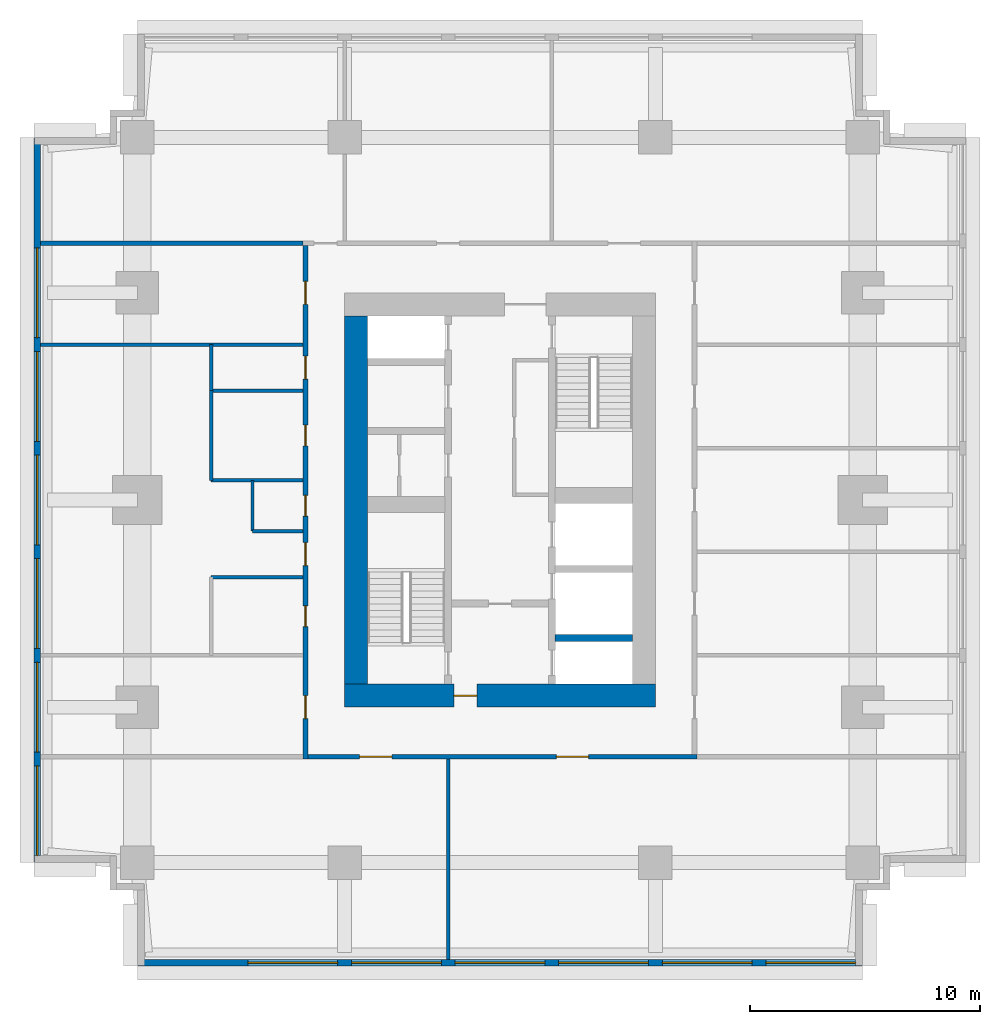
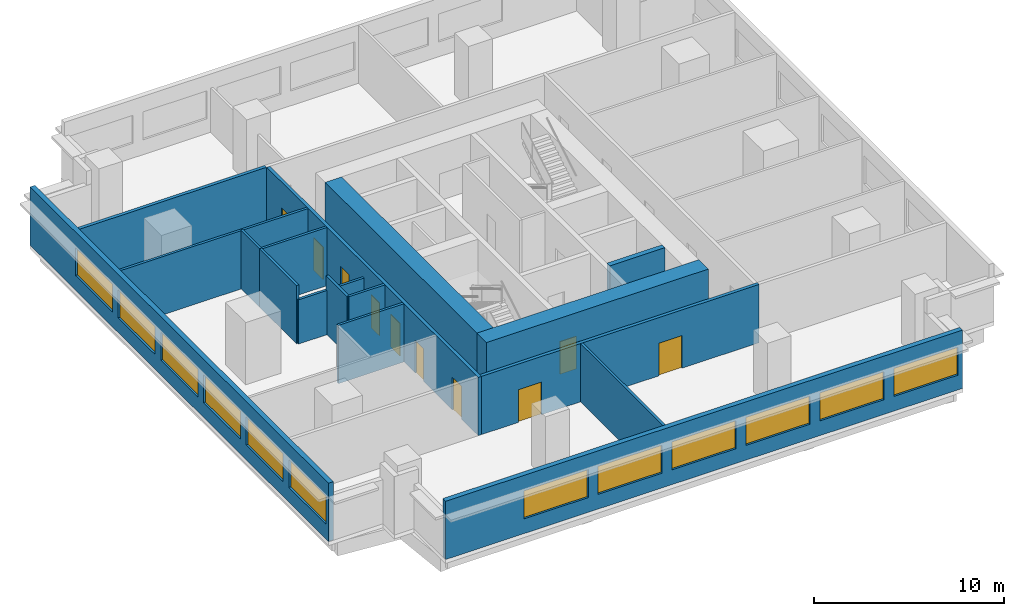
# One storey, part 2 of 5: 17 walls, 12 windows, 10 doors, 22 openings.
"""IFC4 building model written with IfcOpenShell, lengths in metres."""

import ifcopenshell
import ifcopenshell.guid

model = None  # the IFC model being written
_history = None  # IfcOwnerHistory: only IFC2X3 demands one
_inside = {}  # id of a spatial element -> (the spatial element, [elements in it])
_under = {}  # id of a project, library or spatial element -> (it, [spatial elements below it])
_declared = {}  # id of a project -> (the project, [libraries it declares])
_typed = {}  # id of a type object -> (the type object, [elements of that type])
_made_of = {}  # id of a material, layer set ... -> (it, [elements and type objects made of it])


def new_model(schema):
    """Start an empty IFC model of exactly this schema.

    Asked for "IFC4X3", IfcOpenShell would pick the latest addendum, in which some entities
    have other attributes; the version numbers below select the first issue.
    IFC2X3 requires an IfcOwnerHistory on every rooted entity: one is made here for all.
    """
    global model, _history
    if schema == "IFC4X3":
        model = ifcopenshell.file(schema_version=(4, 3, 0, 0))
    else:
        model = ifcopenshell.file(schema=schema)
    _inside.clear()
    _under.clear()
    _declared.clear()
    _typed.clear()
    _made_of.clear()
    _history = None
    if model.schema == "IFC2X3":
        org = make("IfcOrganization", Name="unknown")
        user = make(
            "IfcPersonAndOrganization",
            ThePerson=make("IfcPerson", FamilyName="unknown"),
            TheOrganization=org,
        )
        app = make(
            "IfcApplication",
            ApplicationDeveloper=org,
            Version="unknown",
            ApplicationFullName="unknown",
            ApplicationIdentifier="unknown",
        )
        _history = make(
            "IfcOwnerHistory",
            OwningUser=user,
            OwningApplication=app,
            ChangeAction="ADDED",
            CreationDate=0,
        )
    return model


def make(cls, **values):
    """One entity of the class cls with the attributes given. An attribute that is None is left unset."""
    return model.create_entity(
        cls, **{name: value for name, value in values.items() if value is not None}
    )


def rooted(cls, **values):
    """An entity with a GlobalId (a new one), such as an element, a storey or a relation."""
    return make(cls, GlobalId=ifcopenshell.guid.new(), OwnerHistory=_history, **values)


def si_unit(unit_type, name, prefix=None):
    """IfcSIUnit, for example si_unit("LENGTHUNIT", "METRE", prefix="MILLI")."""
    return make("IfcSIUnit", UnitType=unit_type, Prefix=prefix, Name=name)


def assignment(units):
    """IfcUnitAssignment: the units of a project."""
    return None if units is None else make("IfcUnitAssignment", Units=units)


def point(xyz):
    """IfcCartesianPoint."""
    return None if xyz is None else make("IfcCartesianPoint", Coordinates=xyz)


def direction(xyz):
    """IfcDirection."""
    return None if xyz is None else make("IfcDirection", DirectionRatios=xyz)


def frame(location, z_axis=None, x_axis=None):
    """IfcAxis2Placement3D, a coordinate frame: its origin and axes. An axis left out is left unset."""
    return make(
        "IfcAxis2Placement3D",
        Location=point(location),
        Axis=direction(z_axis),
        RefDirection=direction(x_axis),
    )


def frame_2d(location, x_axis=None):
    """IfcAxis2Placement2D, a coordinate frame in the plane: its origin and x axis."""
    return make(
        "IfcAxis2Placement2D", Location=point(location), RefDirection=direction(x_axis)
    )


def origin():
    """The frame at (0, 0, 0) with its axes left unset."""
    return frame((0.0, 0.0, 0.0))


def place(relative_to, where):
    """IfcLocalPlacement: puts the frame where relative to a parent placement (None: the world)."""
    return make(
        "IfcLocalPlacement", PlacementRelTo=relative_to, RelativePlacement=where
    )


def context(
    kind, dimensions, precision=None, world=None, true_north=None, identifier=None
):
    """IfcGeometricRepresentationContext, for example the 3D "Model" context."""
    return make(
        "IfcGeometricRepresentationContext",
        ContextIdentifier=identifier,
        ContextType=kind,
        CoordinateSpaceDimension=dimensions,
        Precision=precision,
        WorldCoordinateSystem=world,
        TrueNorth=true_north,
    )


def subcontext(parent, identifier, kind, view, scale=None):
    """IfcGeometricRepresentationSubContext, for example "Body" below "Model"."""
    return make(
        "IfcGeometricRepresentationSubContext",
        ContextIdentifier=identifier,
        ContextType=kind,
        ParentContext=parent,
        TargetScale=scale,
        TargetView=view,
    )


def project(units=None, contexts=None):
    """IfcProject with its units and contexts."""
    return rooted(
        "IfcProject",
        Name="project",
        RepresentationContexts=contexts,
        UnitsInContext=assignment(units),
    )


def spatial(cls, under=None, at=None, **own):
    """A site, building, storey or space (cls), placed at a placement, below another one or the project."""
    s = rooted(cls, ObjectPlacement=at, **own)
    if under is not None:
        _under.setdefault(under.id(), (under, []))[1].append(s)
    return s


def profile(cls, at=None, kind="AREA", **sizes):
    """A parametric profile (cls). Its sizes go by their IFC names, for example OverallWidth=200.0."""
    return make(cls, ProfileType=kind, Position=at, **sizes)


def rectangle(**sizes):
    """IfcRectangleProfileDef."""
    return profile("IfcRectangleProfileDef", **sizes)


def extrude(swept, where, along, depth):
    """IfcExtrudedAreaSolid: the profile swept, set in the frame where, extruded along a direction by depth."""
    return make(
        "IfcExtrudedAreaSolid",
        SweptArea=swept,
        Position=where,
        ExtrudedDirection=direction(along),
        Depth=depth,
    )


def shape(context_of_items, identifier, shape_type, items):
    """IfcShapeRepresentation: the items that make up one representation, for example the "Body"."""
    return make(
        "IfcShapeRepresentation",
        ContextOfItems=context_of_items,
        RepresentationIdentifier=identifier,
        RepresentationType=shape_type,
        Items=items,
    )


def material(Name=None, Category=None):
    """IfcMaterial."""
    return make("IfcMaterial", Name=Name, Category=Category)


def layer(
    of_material, thickness, ventilated=None, Name=None, Category=None, Priority=None
):
    """IfcMaterialLayer: one layer of a wall or slab, of a material (None: an air gap)."""
    return make(
        "IfcMaterialLayer",
        Material=of_material,
        LayerThickness=thickness,
        IsVentilated=ventilated,
        Name=Name,
        Category=Category,
        Priority=Priority,
    )


def layer_set(layers, Name=None):
    """IfcMaterialLayerSet."""
    return make("IfcMaterialLayerSet", MaterialLayers=layers, LayerSetName=Name)


def made_of(thing, what):
    """Note that an element or type object is made of a material, layer set ...; save() writes the relation."""
    if what is not None:
        _made_of.setdefault(what.id(), (what, []))[1].append(thing)
    return thing


def type_object(cls, material=None, **own):
    """A type object (cls), such as IfcWallType, which elements share."""
    return made_of(rooted(cls, **own), material)


def element(
    cls,
    number,
    at=None,
    inside=None,
    cuts=None,
    type_object=None,
    material=None,
    context=None,
    identifier="Body",
    shape_type=None,
    held_by="IfcProductDefinitionShape",
    body=None,
    shapes=None,
    **own,
):
    """One element of the class cls, such as IfcWall. Its Tag is "e" and its number.

    at: its placement. inside: the storey or other place that contains it. cuts: it is an
    opening in that element (IfcRelVoidsElement). A single representation is given by context,
    identifier, shape_type and body (its items); several are given by shapes. held_by: the class
    of the entity that holds the representations. save() writes the other relations.
    """
    e = rooted(cls, Tag="e%d" % number, ObjectPlacement=at, **own)
    if body is not None:
        shapes = [shape(context, identifier, shape_type, body)]
    if shapes is not None:
        e.Representation = make(held_by, Representations=shapes)
    if inside is not None:
        _inside.setdefault(inside.id(), (inside, []))[1].append(e)
    if cuts is not None:
        rooted(
            "IfcRelVoidsElement", RelatingBuildingElement=cuts, RelatedOpeningElement=e
        )
    if type_object is not None:
        _typed.setdefault(type_object.id(), (type_object, []))[1].append(e)
    return made_of(e, material)


def fill(opening, filler):
    """IfcRelFillsElement: the door or window that sits in an opening."""
    return rooted(
        "IfcRelFillsElement",
        RelatingOpeningElement=opening,
        RelatedBuildingElement=filler,
    )


def aggregate(whole, parts):
    """IfcRelAggregates: a whole, such as a stair, and the parts it consists of."""
    return rooted("IfcRelAggregates", RelatingObject=whole, RelatedObjects=parts)


def save(model, path):
    """Write the relations noted so far, then the file.

    IfcRelAggregates (storeys below a building ...), IfcRelContainedInSpatialStructure (elements
    in a storey), IfcRelDefinesByType, IfcRelAssociatesMaterial and IfcRelDeclares: one each for
    every whole, place, type object, material and project.
    """
    for whole, parts in _under.values():
        aggregate(whole, parts)
    for where, things in _inside.values():
        rooted(
            "IfcRelContainedInSpatialStructure",
            RelatedElements=things,
            RelatingStructure=where,
        )
    for kind, things in _typed.values():
        rooted("IfcRelDefinesByType", RelatedObjects=things, RelatingType=kind)
    for what, things in _made_of.values():
        rooted("IfcRelAssociatesMaterial", RelatedObjects=things, RelatingMaterial=what)
    for by, libraries in _declared.values():
        rooted("IfcRelDeclares", RelatingContext=by, RelatedDefinitions=libraries)
    model.write(path)


model = new_model("IFC4")

# Units and contexts
model_context = context("Model", 3, precision=1e-05, world=origin(), true_north=direction((0.0, 1.0)))
body_context = subcontext(model_context, "Body", "Model", "MODEL_VIEW")
ifc_project = project(units=[si_unit("LENGTHUNIT", "METRE"), si_unit("AREAUNIT", "SQUARE_METRE"), si_unit("VOLUMEUNIT", "CUBIC_METRE"), si_unit("PLANEANGLEUNIT", "RADIAN"), si_unit("MASSUNIT", "GRAM", prefix="KILO")], contexts=[model_context])

# Site, building, storey
site_placement = place(None, origin())
site = spatial("IfcSite", under=ifc_project, at=site_placement, CompositionType="ELEMENT")
building_placement = place(site_placement, origin())
building = spatial("IfcBuilding", under=site, at=building_placement, Name="Namib Vertical Campus", CompositionType="ELEMENT")
storey_placement = place(building_placement, frame((0.0, 0.0, 253.0)))
storey = spatial("IfcBuildingStorey", under=building, at=storey_placement, Name="L59", CompositionType="ELEMENT", Elevation=253.0)

# Wall
ifc_material_1 = material(Name="Concrete C60/75", Category="concrete")
ifc_layer_1 = layer(ifc_material_1, 0.300048828125)
ifc_layer_set_1 = layer_set([ifc_layer_1], Name="Concrete C60/75")
wall_type_1 = type_object("IfcWallType", Name="Core inner wall 300", PredefinedType="SHEAR", material=ifc_layer_set_1)
wall_1_placement = place(storey_placement, frame((22.64990234375, 14.25, 0.0), z_axis=(0.0, 0.0, 1.0), x_axis=(1.0, 0.0, 0.0)))
element("IfcWall", 1, at=wall_1_placement, inside=storey, type_object=wall_type_1, Name="Core inner wall A L59 W5", PredefinedType="SHEAR", context=body_context, shape_type="SweptSolid", body=[
    extrude(rectangle(XDim=3.35009765625, YDim=0.300048828125, at=frame_2d((1.675048828125, 0.0))), origin(), (0.0, 0.0, 1.0), 4.0),
])

# Wall, opening, door
ifc_material_2 = material(Name="Concrete C60/75", Category="concrete")
ifc_layer_2 = layer(ifc_material_2, 1.0)
ifc_layer_set_2 = layer_set([ifc_layer_2], Name="Concrete C60/75")
wall_type_2 = type_object("IfcWallType", Name="Core wall 1000", PredefinedType="SHEAR", material=ifc_layer_set_2)
wall_2_placement = place(storey_placement, frame((13.5, 11.75, 0.0), z_axis=(0.0, 0.0, 1.0), x_axis=(1.0, 0.0, 0.0)))
wall_2 = element("IfcWall", 2, at=wall_2_placement, inside=storey, type_object=wall_type_2, Name="Core wall A L59 1", PredefinedType="SHEAR", context=body_context, shape_type="SweptSolid", body=[
    extrude(rectangle(XDim=13.5, YDim=1.0, at=frame_2d((6.75, 0.0))), origin(), (0.0, 0.0, 1.0), 4.0),
])
opening_1_placement = place(wall_2_placement, frame((4.75, 0.0, 0.0)))
opening_1 = element("IfcOpeningElement", 3, at=opening_1_placement, cuts=wall_2, Name="Opening FD5", PredefinedType="OPENING", context=body_context, shape_type="SweptSolid", body=[
    extrude(rectangle(XDim=1.0, YDim=2.10009765625, at=frame_2d((0.5, 1.050048828125))), frame((0.0, 0.510009765625, 0.0), z_axis=(0.0, -1.0, 0.0), x_axis=(1.0, 0.0, 0.0)), (0.0, 0.0, 1.0), 1.02001953125),
])
ifc_material_3 = material(Name="Steel fire door", Category="steel")
door_type_1 = type_object("IfcDoorType", Name="Fire door 1000x2100 120 min", OperationType="SINGLE_SWING_RIGHT", PredefinedType="DOOR", material=ifc_material_3)
door_1_placement = place(opening_1_placement, origin())
door_1 = element("IfcDoor", 4, at=door_1_placement, inside=storey, type_object=door_type_1, Name="Firefighting lobby door FD5 A L59", OperationType="SINGLE_SWING_LEFT", OverallHeight=2.10009765625, OverallWidth=1.0, PredefinedType="DOOR", context=body_context, shape_type="SweptSolid", body=[
    extrude(rectangle(XDim=1.0, YDim=2.10009765625, at=frame_2d((0.5, 1.050048828125))), frame((0.0, 0.02490234375, 0.0), z_axis=(0.0, -1.0, 0.0), x_axis=(1.0, 0.0, 0.0)), (0.0, 0.0, 1.0), 0.050048828125),
])
fill(opening_1, door_1)

# Wall
wall_3_placement = place(storey_placement, frame((14.0, 28.25, 0.0), z_axis=(0.0, 0.0, 1.0), x_axis=(0.0, -1.0, 0.0)))
element("IfcWall", 5, at=wall_3_placement, inside=storey, type_object=wall_type_2, Name="Core wall A L59 4", PredefinedType="SHEAR", context=body_context, shape_type="SweptSolid", body=[
    extrude(rectangle(XDim=16.0, YDim=1.0, at=frame_2d((8.0, 0.0))), origin(), (0.0, 0.0, 1.0), 4.0),
])

# Wall, openings, doors
ifc_material_4 = material(Name="Concrete masonry", Category="masonry")
ifc_layer_3 = layer(ifc_material_4, 0.199951171875)
ifc_layer_set_3 = layer_set([ifc_layer_3], Name="Corridor wall 200")
wall_type_3 = type_object("IfcWallType", Name="Corridor wall 200", PredefinedType="SOLIDWALL", material=ifc_layer_set_3)
wall_4_placement = place(storey_placement, frame((11.89990234375, 9.10009765625, 0.0), z_axis=(0.0, 0.0, 1.0), x_axis=(1.0, 0.0, 0.0)))
wall_4 = element("IfcWall", 6, at=wall_4_placement, inside=storey, type_object=wall_type_3, Name="Corridor wall A L59 CS", PredefinedType="SOLIDWALL", context=body_context, shape_type="SweptSolid", body=[
    extrude(rectangle(XDim=16.900146484375, YDim=0.199951171875, at=frame_2d((8.4501953125, 0.0))), origin(), (0.0, 0.0, 1.0), 3.75),
])
opening_2_placement = place(wall_4_placement, frame((2.25, 0.0, 0.0)))
opening_2 = element("IfcOpeningElement", 7, at=opening_2_placement, cuts=wall_4, Name="Opening LB1", PredefinedType="OPENING", context=body_context, shape_type="SweptSolid", body=[
    extrude(rectangle(XDim=1.39990234375, YDim=2.10009765625, at=frame_2d((0.699951171875, 1.050048828125))), frame((0.0, 0.10986328125, 0.0), z_axis=(0.0, -1.0, 0.0), x_axis=(1.0, 0.0, 0.0)), (0.0, 0.0, 1.0), 0.219970703125),
])
opening_3_placement = place(wall_4_placement, frame((10.800048828125, 0.0, 0.0)))
opening_3 = element("IfcOpeningElement", 8, at=opening_3_placement, cuts=wall_4, Name="Opening LB1", PredefinedType="OPENING", context=body_context, shape_type="SweptSolid", body=[
    extrude(rectangle(XDim=1.39990234375, YDim=2.10009765625, at=frame_2d((0.699951171875, 1.050048828125))), frame((0.0, 0.10986328125, 0.0), z_axis=(0.0, -1.0, 0.0), x_axis=(1.0, 0.0, 0.0)), (0.0, 0.0, 1.0), 0.219970703125),
])
ifc_material_5 = material(Name="Timber fire door leaf", Category="wood")
door_type_2 = type_object("IfcDoorType", Name="Laboratory door 1400x2100 leaf and a half", OperationType="DOUBLE_DOOR_SINGLE_SWING", PredefinedType="DOOR", material=ifc_material_5)
door_2_placement = place(opening_2_placement, frame((1.39990234375, 0.0, 0.0), z_axis=(0.0, 0.0, 1.0), x_axis=(-1.0, 0.0, 0.0)))
door_2 = element("IfcDoor", 9, at=door_2_placement, inside=storey, type_object=door_type_2, Name="Door LB1 A59-01", OperationType="DOUBLE_DOOR_SINGLE_SWING", OverallHeight=2.10009765625, OverallWidth=1.39990234375, PredefinedType="DOOR", context=body_context, shape_type="SweptSolid", body=[
    extrude(rectangle(XDim=1.39990234375, YDim=2.10009765625, at=frame_2d((0.699951171875, 1.050048828125))), frame((0.0, 0.02490234375, 0.0), z_axis=(0.0, -1.0, 0.0), x_axis=(1.0, 0.0, 0.0)), (0.0, 0.0, 1.0), 0.050048828125),
])
fill(opening_2, door_2)
door_3_placement = place(opening_3_placement, frame((1.39990234375, 0.0, 0.0), z_axis=(0.0, 0.0, 1.0), x_axis=(-1.0, 0.0, 0.0)))
door_3 = element("IfcDoor", 10, at=door_3_placement, inside=storey, type_object=door_type_2, Name="Door LB1 A59-02", OperationType="DOUBLE_DOOR_SINGLE_SWING", OverallHeight=2.10009765625, OverallWidth=1.39990234375, PredefinedType="DOOR", context=body_context, shape_type="SweptSolid", body=[
    extrude(rectangle(XDim=1.39990234375, YDim=2.10009765625, at=frame_2d((0.699951171875, 1.050048828125))), frame((0.0, 0.02490234375, 0.0), z_axis=(0.0, -1.0, 0.0), x_axis=(1.0, 0.0, 0.0)), (0.0, 0.0, 1.0), 0.050048828125),
])
fill(opening_3, door_3)

wall_5_placement = place(storey_placement, frame((11.800048828125, 31.300048828125, 0.0), z_axis=(0.0, 0.0, 1.0), x_axis=(0.0, -1.0, 0.0)))
wall_5 = element("IfcWall", 11, at=wall_5_placement, inside=storey, type_object=wall_type_3, Name="Corridor wall A L59 CW", PredefinedType="SOLIDWALL", context=body_context, shape_type="SweptSolid", body=[
    extrude(rectangle(XDim=22.300048828125, YDim=0.199951171875, at=frame_2d((11.14990234375, 0.0))), origin(), (0.0, 0.0, 1.0), 3.75),
])
opening_4_placement = place(wall_5_placement, frame((19.550048828125, 0.0, 0.0)))
opening_4 = element("IfcOpeningElement", 12, at=opening_4_placement, cuts=wall_5, Name="Opening CD1", PredefinedType="OPENING", context=body_context, shape_type="SweptSolid", body=[
    extrude(rectangle(XDim=1.0, YDim=2.10009765625, at=frame_2d((0.5, 1.050048828125))), frame((0.0, 0.10986328125, 0.0), z_axis=(0.0, -1.0, 0.0), x_axis=(1.0, 0.0, 0.0)), (0.0, 0.0, 1.0), 0.219970703125),
])
opening_5_placement = place(wall_5_placement, frame((15.64990234375, 0.0, 0.0)))
opening_5 = element("IfcOpeningElement", 13, at=opening_5_placement, cuts=wall_5, Name="Opening CD3", PredefinedType="OPENING", context=body_context, shape_type="SweptSolid", body=[
    extrude(rectangle(XDim=0.89990234375, YDim=2.10009765625, at=frame_2d((0.449951171875, 1.050048828125))), frame((0.0, 0.10986328125, 0.0), z_axis=(0.0, -1.0, 0.0), x_axis=(1.0, 0.0, 0.0)), (0.0, 0.0, 1.0), 0.219970703125),
])
opening_6_placement = place(wall_5_placement, frame((10.85009765625, 0.0, 0.0)))
opening_6 = element("IfcOpeningElement", 14, at=opening_6_placement, cuts=wall_5, Name="Opening CD3", PredefinedType="OPENING", context=body_context, shape_type="SweptSolid", body=[
    extrude(rectangle(XDim=0.89990234375, YDim=2.10009765625, at=frame_2d((0.449951171875, 1.050048828125))), frame((0.0, 0.10986328125, 0.0), z_axis=(0.0, -1.0, 0.0), x_axis=(1.0, 0.0, 0.0)), (0.0, 0.0, 1.0), 0.219970703125),
])
opening_7_placement = place(wall_5_placement, frame((7.800048828125, 0.0, 0.0)))
opening_7 = element("IfcOpeningElement", 15, at=opening_7_placement, cuts=wall_5, Name="Opening CD3", PredefinedType="OPENING", context=body_context, shape_type="SweptSolid", body=[
    extrude(rectangle(XDim=0.89990234375, YDim=2.10009765625, at=frame_2d((0.449951171875, 1.050048828125))), frame((0.0, 0.10986328125, 0.0), z_axis=(0.0, -1.0, 0.0), x_axis=(1.0, 0.0, 0.0)), (0.0, 0.0, 1.0), 0.219970703125),
])
opening_8_placement = place(wall_5_placement, frame((4.800048828125, 0.0, 0.0)))
opening_8 = element("IfcOpeningElement", 16, at=opening_8_placement, cuts=wall_5, Name="Opening CD1", PredefinedType="OPENING", context=body_context, shape_type="SweptSolid", body=[
    extrude(rectangle(XDim=1.0, YDim=2.10009765625, at=frame_2d((0.5, 1.050048828125))), frame((0.0, 0.10986328125, 0.0), z_axis=(0.0, -1.0, 0.0), x_axis=(1.0, 0.0, 0.0)), (0.0, 0.0, 1.0), 0.219970703125),
])
opening_9_placement = place(wall_5_placement, frame((12.89990234375, 0.0, 0.0)))
opening_9 = element("IfcOpeningElement", 17, at=opening_9_placement, cuts=wall_5, Name="Opening CD1", PredefinedType="OPENING", context=body_context, shape_type="SweptSolid", body=[
    extrude(rectangle(XDim=1.0, YDim=2.10009765625, at=frame_2d((0.5, 1.050048828125))), frame((0.0, 0.10986328125, 0.0), z_axis=(0.0, -1.0, 0.0), x_axis=(1.0, 0.0, 0.0)), (0.0, 0.0, 1.0), 0.219970703125),
])
opening_10_placement = place(wall_5_placement, frame((1.550048828125, 0.0, 0.0)))
opening_10 = element("IfcOpeningElement", 18, at=opening_10_placement, cuts=wall_5, Name="Opening CD1", PredefinedType="OPENING", context=body_context, shape_type="SweptSolid", body=[
    extrude(rectangle(XDim=1.0, YDim=2.10009765625, at=frame_2d((0.5, 1.050048828125))), frame((0.0, 0.10986328125, 0.0), z_axis=(0.0, -1.0, 0.0), x_axis=(1.0, 0.0, 0.0)), (0.0, 0.0, 1.0), 0.219970703125),
])
ifc_material_6 = material(Name="Timber fire door leaf", Category="wood")
door_type_3 = type_object("IfcDoorType", Name="Corridor door 1000x2100 20 min", OperationType="SINGLE_SWING_LEFT", PredefinedType="DOOR", material=ifc_material_6)
door_4_placement = place(opening_4_placement, frame((1.0, 0.0, 0.0), z_axis=(0.0, 0.0, 1.0), x_axis=(-1.0, 0.0, 0.0)))
door_4 = element("IfcDoor", 19, at=door_4_placement, inside=storey, type_object=door_type_3, Name="Door CD1 A59-11", OperationType="SINGLE_SWING_RIGHT", OverallHeight=2.10009765625, OverallWidth=1.0, PredefinedType="DOOR", context=body_context, shape_type="SweptSolid", body=[
    extrude(rectangle(XDim=1.0, YDim=2.10009765625, at=frame_2d((0.5, 1.050048828125))), frame((0.0, 0.02490234375, 0.0), z_axis=(0.0, -1.0, 0.0), x_axis=(1.0, 0.0, 0.0)), (0.0, 0.0, 1.0), 0.050048828125),
])
fill(opening_4, door_4)
door_5_placement = place(opening_8_placement, frame((1.0, 0.0, 0.0), z_axis=(0.0, 0.0, 1.0), x_axis=(-1.0, 0.0, 0.0)))
door_5 = element("IfcDoor", 20, at=door_5_placement, inside=storey, type_object=door_type_3, Name="Door CD1 A59-15", OperationType="SINGLE_SWING_RIGHT", OverallHeight=2.10009765625, OverallWidth=1.0, PredefinedType="DOOR", context=body_context, shape_type="SweptSolid", body=[
    extrude(rectangle(XDim=1.0, YDim=2.10009765625, at=frame_2d((0.5, 1.050048828125))), frame((0.0, 0.02490234375, 0.0), z_axis=(0.0, -1.0, 0.0), x_axis=(1.0, 0.0, 0.0)), (0.0, 0.0, 1.0), 0.050048828125),
])
fill(opening_8, door_5)
door_6_placement = place(opening_9_placement, frame((1.0, 0.0, 0.0), z_axis=(0.0, 0.0, 1.0), x_axis=(-1.0, 0.0, 0.0)))
door_6 = element("IfcDoor", 21, at=door_6_placement, inside=storey, type_object=door_type_3, Name="Door CD1 A59-16", OperationType="SINGLE_SWING_RIGHT", OverallHeight=2.10009765625, OverallWidth=1.0, PredefinedType="DOOR", context=body_context, shape_type="SweptSolid", body=[
    extrude(rectangle(XDim=1.0, YDim=2.10009765625, at=frame_2d((0.5, 1.050048828125))), frame((0.0, 0.02490234375, 0.0), z_axis=(0.0, -1.0, 0.0), x_axis=(1.0, 0.0, 0.0)), (0.0, 0.0, 1.0), 0.050048828125),
])
fill(opening_9, door_6)
door_7_placement = place(opening_10_placement, frame((1.0, 0.0, 0.0), z_axis=(0.0, 0.0, 1.0), x_axis=(-1.0, 0.0, 0.0)))
door_7 = element("IfcDoor", 22, at=door_7_placement, inside=storey, type_object=door_type_3, Name="Door CD1 A59-17", OperationType="SINGLE_SWING_RIGHT", OverallHeight=2.10009765625, OverallWidth=1.0, PredefinedType="DOOR", context=body_context, shape_type="SweptSolid", body=[
    extrude(rectangle(XDim=1.0, YDim=2.10009765625, at=frame_2d((0.5, 1.050048828125))), frame((0.0, 0.02490234375, 0.0), z_axis=(0.0, -1.0, 0.0), x_axis=(1.0, 0.0, 0.0)), (0.0, 0.0, 1.0), 0.050048828125),
])
fill(opening_10, door_7)
ifc_material_7 = material(Name="Timber fire door leaf", Category="wood")
door_type_4 = type_object("IfcDoorType", Name="Corridor toilet door 900x2100 20 min", OperationType="SINGLE_SWING_LEFT", PredefinedType="DOOR", material=ifc_material_7)
door_8_placement = place(opening_5_placement, frame((0.89990234375, 0.0, 0.0), z_axis=(0.0, 0.0, 1.0), x_axis=(-1.0, 0.0, 0.0)))
door_8 = element("IfcDoor", 23, at=door_8_placement, inside=storey, type_object=door_type_4, Name="Door CD3 A59-12", OperationType="SINGLE_SWING_RIGHT", OverallHeight=2.10009765625, OverallWidth=0.89990234375, PredefinedType="DOOR", context=body_context, shape_type="SweptSolid", body=[
    extrude(rectangle(XDim=0.89990234375, YDim=2.10009765625, at=frame_2d((0.449951171875, 1.050048828125))), frame((0.0, 0.02490234375, 0.0), z_axis=(0.0, -1.0, 0.0), x_axis=(1.0, 0.0, 0.0)), (0.0, 0.0, 1.0), 0.050048828125),
])
fill(opening_5, door_8)
door_9_placement = place(opening_6_placement, frame((0.89990234375, 0.0, 0.0), z_axis=(0.0, 0.0, 1.0), x_axis=(-1.0, 0.0, 0.0)))
door_9 = element("IfcDoor", 24, at=door_9_placement, inside=storey, type_object=door_type_4, Name="Door CD3 A59-13", OperationType="SINGLE_SWING_RIGHT", OverallHeight=2.10009765625, OverallWidth=0.89990234375, PredefinedType="DOOR", context=body_context, shape_type="SweptSolid", body=[
    extrude(rectangle(XDim=0.89990234375, YDim=2.10009765625, at=frame_2d((0.449951171875, 1.050048828125))), frame((0.0, 0.02490234375, 0.0), z_axis=(0.0, -1.0, 0.0), x_axis=(1.0, 0.0, 0.0)), (0.0, 0.0, 1.0), 0.050048828125),
])
fill(opening_6, door_9)
door_10_placement = place(opening_7_placement, frame((0.89990234375, 0.0, 0.0), z_axis=(0.0, 0.0, 1.0), x_axis=(-1.0, 0.0, 0.0)))
door_10 = element("IfcDoor", 25, at=door_10_placement, inside=storey, type_object=door_type_4, Name="Door CD3 A59-14", OperationType="SINGLE_SWING_RIGHT", OverallHeight=2.10009765625, OverallWidth=0.89990234375, PredefinedType="DOOR", context=body_context, shape_type="SweptSolid", body=[
    extrude(rectangle(XDim=0.89990234375, YDim=2.10009765625, at=frame_2d((0.449951171875, 1.050048828125))), frame((0.0, 0.02490234375, 0.0), z_axis=(0.0, -1.0, 0.0), x_axis=(1.0, 0.0, 0.0)), (0.0, 0.0, 1.0), 0.050048828125),
])
fill(opening_7, door_10)

# Wall
wall_6_placement = place(storey_placement, frame((0.300048828125, 31.39990234375, 0.0), z_axis=(0.0, 0.0, 1.0), x_axis=(1.0, 0.0, 0.0)))
element("IfcWall", 26, at=wall_6_placement, inside=storey, type_object=wall_type_3, Name="Partition A L59 BNW", PredefinedType="SOLIDWALL", context=body_context, shape_type="SweptSolid", body=[
    extrude(rectangle(XDim=11.39990234375, YDim=0.199951171875, at=frame_2d((5.699951171875, 0.0))), origin(), (0.0, 0.0, 1.0), 3.75),
])

# Wall, openings, windows
ifc_material_8 = material(Name="Concrete C40/50", Category="concrete")
ifc_layer_4 = layer(ifc_material_8, 0.300048828125)
ifc_layer_set_4 = layer_set([ifc_layer_4], Name="Concrete C40/50")
wall_type_4 = type_object("IfcWallType", Name="External wall 300 board-marked concrete", PredefinedType="STANDARD", material=ifc_layer_set_4)
wall_7_placement = place(storey_placement, frame((4.52001953125, 0.14990234375, 0.0), z_axis=(0.0, 0.0, 1.0), x_axis=(1.0, 0.0, 0.0)))
wall_7 = element("IfcWall", 27, at=wall_7_placement, inside=storey, type_object=wall_type_4, Name="External wall L59 F01", PredefinedType="STANDARD", context=body_context, shape_type="SweptSolid", body=[
    extrude(rectangle(XDim=31.4599609375, YDim=0.300048828125, at=frame_2d((15.72998046875, 0.0))), origin(), (0.0, 0.0, 1.0), 3.75),
])
opening_11_placement = place(wall_7_placement, frame((4.780029296875, 0.0, 0.949951171875)))
opening_11 = element("IfcOpeningElement", 28, at=opening_11_placement, cuts=wall_7, Name="Opening W3", PredefinedType="OPENING", context=body_context, shape_type="SweptSolid", body=[
    extrude(rectangle(XDim=3.89990234375, YDim=1.800048828125, at=frame_2d((1.949951171875, 0.89990234375))), frame((0.0, 0.159912109375, 0.0), z_axis=(0.0, -1.0, 0.0), x_axis=(1.0, 0.0, 0.0)), (0.0, 0.0, 1.0), 0.320068359375),
])
opening_12_placement = place(wall_7_placement, frame((9.280029296875, 0.0, 0.949951171875)))
opening_12 = element("IfcOpeningElement", 29, at=opening_12_placement, cuts=wall_7, Name="Opening W3", PredefinedType="OPENING", context=body_context, shape_type="SweptSolid", body=[
    extrude(rectangle(XDim=3.89990234375, YDim=1.800048828125, at=frame_2d((1.949951171875, 0.89990234375))), frame((0.0, 0.159912109375, 0.0), z_axis=(0.0, -1.0, 0.0), x_axis=(1.0, 0.0, 0.0)), (0.0, 0.0, 1.0), 0.320068359375),
])
opening_13_placement = place(wall_7_placement, frame((13.780029296875, 0.0, 0.949951171875)))
opening_13 = element("IfcOpeningElement", 30, at=opening_13_placement, cuts=wall_7, Name="Opening W3", PredefinedType="OPENING", context=body_context, shape_type="SweptSolid", body=[
    extrude(rectangle(XDim=3.89990234375, YDim=1.800048828125, at=frame_2d((1.949951171875, 0.89990234375))), frame((0.0, 0.159912109375, 0.0), z_axis=(0.0, -1.0, 0.0), x_axis=(1.0, 0.0, 0.0)), (0.0, 0.0, 1.0), 0.320068359375),
])
opening_14_placement = place(wall_7_placement, frame((18.280029296875, 0.0, 0.949951171875)))
opening_14 = element("IfcOpeningElement", 31, at=opening_14_placement, cuts=wall_7, Name="Opening W3", PredefinedType="OPENING", context=body_context, shape_type="SweptSolid", body=[
    extrude(rectangle(XDim=3.89990234375, YDim=1.800048828125, at=frame_2d((1.949951171875, 0.89990234375))), frame((0.0, 0.159912109375, 0.0), z_axis=(0.0, -1.0, 0.0), x_axis=(1.0, 0.0, 0.0)), (0.0, 0.0, 1.0), 0.320068359375),
])
opening_15_placement = place(wall_7_placement, frame((22.780029296875, 0.0, 0.949951171875)))
opening_15 = element("IfcOpeningElement", 32, at=opening_15_placement, cuts=wall_7, Name="Opening W3", PredefinedType="OPENING", context=body_context, shape_type="SweptSolid", body=[
    extrude(rectangle(XDim=3.89990234375, YDim=1.800048828125, at=frame_2d((1.949951171875, 0.89990234375))), frame((0.0, 0.159912109375, 0.0), z_axis=(0.0, -1.0, 0.0), x_axis=(1.0, 0.0, 0.0)), (0.0, 0.0, 1.0), 0.320068359375),
])
opening_16_placement = place(wall_7_placement, frame((27.280029296875, 0.0, 0.949951171875)))
opening_16 = element("IfcOpeningElement", 33, at=opening_16_placement, cuts=wall_7, Name="Opening W3", PredefinedType="OPENING", context=body_context, shape_type="SweptSolid", body=[
    extrude(rectangle(XDim=3.89990234375, YDim=1.800048828125, at=frame_2d((1.949951171875, 0.89990234375))), frame((0.0, 0.159912109375, 0.0), z_axis=(0.0, -1.0, 0.0), x_axis=(1.0, 0.0, 0.0)), (0.0, 0.0, 1.0), 0.320068359375),
])
ifc_material_9 = material(Name="Dark tinted glass in black aluminium frame", Category="aluminium")
window_type = type_object("IfcWindowType", Name="Ribbon window 3900x1800", PartitioningType="SINGLE_PANEL", PredefinedType="WINDOW", material=ifc_material_9)
window_1_placement = place(opening_11_placement, origin())
window_1 = element("IfcWindow", 34, at=window_1_placement, inside=storey, type_object=window_type, Name="Window W3 L59 F01-2", OverallHeight=1.800048828125, OverallWidth=3.89990234375, PartitioningType="SINGLE_PANEL", PredefinedType="WINDOW", context=body_context, shape_type="SweptSolid", body=[
    extrude(rectangle(XDim=3.89990234375, YDim=1.800048828125, at=frame_2d((1.949951171875, 0.89990234375))), frame((0.0, 0.030029296875, 0.0), z_axis=(0.0, -1.0, 0.0), x_axis=(1.0, 0.0, 0.0)), (0.0, 0.0, 1.0), 0.06005859375),
])
fill(opening_11, window_1)
window_2_placement = place(opening_12_placement, origin())
window_2 = element("IfcWindow", 35, at=window_2_placement, inside=storey, type_object=window_type, Name="Window W3 L59 F01-3", OverallHeight=1.800048828125, OverallWidth=3.89990234375, PartitioningType="SINGLE_PANEL", PredefinedType="WINDOW", context=body_context, shape_type="SweptSolid", body=[
    extrude(rectangle(XDim=3.89990234375, YDim=1.800048828125, at=frame_2d((1.949951171875, 0.89990234375))), frame((0.0, 0.030029296875, 0.0), z_axis=(0.0, -1.0, 0.0), x_axis=(1.0, 0.0, 0.0)), (0.0, 0.0, 1.0), 0.06005859375),
])
fill(opening_12, window_2)
window_3_placement = place(opening_13_placement, origin())
window_3 = element("IfcWindow", 36, at=window_3_placement, inside=storey, type_object=window_type, Name="Window W3 L59 F01-4", OverallHeight=1.800048828125, OverallWidth=3.89990234375, PartitioningType="SINGLE_PANEL", PredefinedType="WINDOW", context=body_context, shape_type="SweptSolid", body=[
    extrude(rectangle(XDim=3.89990234375, YDim=1.800048828125, at=frame_2d((1.949951171875, 0.89990234375))), frame((0.0, 0.030029296875, 0.0), z_axis=(0.0, -1.0, 0.0), x_axis=(1.0, 0.0, 0.0)), (0.0, 0.0, 1.0), 0.06005859375),
])
fill(opening_13, window_3)
window_4_placement = place(opening_14_placement, origin())
window_4 = element("IfcWindow", 37, at=window_4_placement, inside=storey, type_object=window_type, Name="Window W3 L59 F01-5", OverallHeight=1.800048828125, OverallWidth=3.89990234375, PartitioningType="SINGLE_PANEL", PredefinedType="WINDOW", context=body_context, shape_type="SweptSolid", body=[
    extrude(rectangle(XDim=3.89990234375, YDim=1.800048828125, at=frame_2d((1.949951171875, 0.89990234375))), frame((0.0, 0.030029296875, 0.0), z_axis=(0.0, -1.0, 0.0), x_axis=(1.0, 0.0, 0.0)), (0.0, 0.0, 1.0), 0.06005859375),
])
fill(opening_14, window_4)
window_5_placement = place(opening_15_placement, origin())
window_5 = element("IfcWindow", 38, at=window_5_placement, inside=storey, type_object=window_type, Name="Window W3 L59 F01-6", OverallHeight=1.800048828125, OverallWidth=3.89990234375, PartitioningType="SINGLE_PANEL", PredefinedType="WINDOW", context=body_context, shape_type="SweptSolid", body=[
    extrude(rectangle(XDim=3.89990234375, YDim=1.800048828125, at=frame_2d((1.949951171875, 0.89990234375))), frame((0.0, 0.030029296875, 0.0), z_axis=(0.0, -1.0, 0.0), x_axis=(1.0, 0.0, 0.0)), (0.0, 0.0, 1.0), 0.06005859375),
])
fill(opening_15, window_5)
window_6_placement = place(opening_16_placement, origin())
window_6 = element("IfcWindow", 39, at=window_6_placement, inside=storey, type_object=window_type, Name="Window W3 L59 F01-7", OverallHeight=1.800048828125, OverallWidth=3.89990234375, PartitioningType="SINGLE_PANEL", PredefinedType="WINDOW", context=body_context, shape_type="SweptSolid", body=[
    extrude(rectangle(XDim=3.89990234375, YDim=1.800048828125, at=frame_2d((1.949951171875, 0.89990234375))), frame((0.0, 0.030029296875, 0.0), z_axis=(0.0, -1.0, 0.0), x_axis=(1.0, 0.0, 0.0)), (0.0, 0.0, 1.0), 0.06005859375),
])
fill(opening_16, window_6)

wall_8_placement = place(storey_placement, frame((0.14990234375, 35.97998046875, 0.0), z_axis=(0.0, 0.0, 1.0), x_axis=(0.0, -1.0, 0.0)))
wall_8 = element("IfcWall", 40, at=wall_8_placement, inside=storey, type_object=wall_type_4, Name="External wall L59 F16", PredefinedType="STANDARD", context=body_context, shape_type="SweptSolid", body=[
    extrude(rectangle(XDim=31.4599609375, YDim=0.300048828125, at=frame_2d((15.72998046875, 0.0))), origin(), (0.0, 0.0, 1.0), 3.75),
])
opening_17_placement = place(wall_8_placement, frame((27.280029296875, 0.0, 0.949951171875)))
opening_17 = element("IfcOpeningElement", 41, at=opening_17_placement, cuts=wall_8, Name="Opening W3", PredefinedType="OPENING", context=body_context, shape_type="SweptSolid", body=[
    extrude(rectangle(XDim=3.89990234375, YDim=1.800048828125, at=frame_2d((1.949951171875, 0.89990234375))), frame((0.0, 0.159912109375, 0.0), z_axis=(0.0, -1.0, 0.0), x_axis=(1.0, 0.0, 0.0)), (0.0, 0.0, 1.0), 0.320068359375),
])
opening_18_placement = place(wall_8_placement, frame((22.780029296875, 0.0, 0.949951171875)))
opening_18 = element("IfcOpeningElement", 42, at=opening_18_placement, cuts=wall_8, Name="Opening W3", PredefinedType="OPENING", context=body_context, shape_type="SweptSolid", body=[
    extrude(rectangle(XDim=3.89990234375, YDim=1.800048828125, at=frame_2d((1.949951171875, 0.89990234375))), frame((0.0, 0.159912109375, 0.0), z_axis=(0.0, -1.0, 0.0), x_axis=(1.0, 0.0, 0.0)), (0.0, 0.0, 1.0), 0.320068359375),
])
opening_19_placement = place(wall_8_placement, frame((18.280029296875, 0.0, 0.949951171875)))
opening_19 = element("IfcOpeningElement", 43, at=opening_19_placement, cuts=wall_8, Name="Opening W3", PredefinedType="OPENING", context=body_context, shape_type="SweptSolid", body=[
    extrude(rectangle(XDim=3.89990234375, YDim=1.800048828125, at=frame_2d((1.949951171875, 0.89990234375))), frame((0.0, 0.159912109375, 0.0), z_axis=(0.0, -1.0, 0.0), x_axis=(1.0, 0.0, 0.0)), (0.0, 0.0, 1.0), 0.320068359375),
])
opening_20_placement = place(wall_8_placement, frame((13.780029296875, 0.0, 0.949951171875)))
opening_20 = element("IfcOpeningElement", 44, at=opening_20_placement, cuts=wall_8, Name="Opening W3", PredefinedType="OPENING", context=body_context, shape_type="SweptSolid", body=[
    extrude(rectangle(XDim=3.89990234375, YDim=1.800048828125, at=frame_2d((1.949951171875, 0.89990234375))), frame((0.0, 0.159912109375, 0.0), z_axis=(0.0, -1.0, 0.0), x_axis=(1.0, 0.0, 0.0)), (0.0, 0.0, 1.0), 0.320068359375),
])
opening_21_placement = place(wall_8_placement, frame((9.280029296875, 0.0, 0.949951171875)))
opening_21 = element("IfcOpeningElement", 45, at=opening_21_placement, cuts=wall_8, Name="Opening W3", PredefinedType="OPENING", context=body_context, shape_type="SweptSolid", body=[
    extrude(rectangle(XDim=3.89990234375, YDim=1.800048828125, at=frame_2d((1.949951171875, 0.89990234375))), frame((0.0, 0.159912109375, 0.0), z_axis=(0.0, -1.0, 0.0), x_axis=(1.0, 0.0, 0.0)), (0.0, 0.0, 1.0), 0.320068359375),
])
opening_22_placement = place(wall_8_placement, frame((4.780029296875, 0.0, 0.949951171875)))
opening_22 = element("IfcOpeningElement", 46, at=opening_22_placement, cuts=wall_8, Name="Opening W3", PredefinedType="OPENING", context=body_context, shape_type="SweptSolid", body=[
    extrude(rectangle(XDim=3.89990234375, YDim=1.800048828125, at=frame_2d((1.949951171875, 0.89990234375))), frame((0.0, 0.159912109375, 0.0), z_axis=(0.0, -1.0, 0.0), x_axis=(1.0, 0.0, 0.0)), (0.0, 0.0, 1.0), 0.320068359375),
])
window_7_placement = place(opening_17_placement, origin())
window_7 = element("IfcWindow", 47, at=window_7_placement, inside=storey, type_object=window_type, Name="Window W3 L59 F16-1", OverallHeight=1.800048828125, OverallWidth=3.89990234375, PartitioningType="SINGLE_PANEL", PredefinedType="WINDOW", context=body_context, shape_type="SweptSolid", body=[
    extrude(rectangle(XDim=3.89990234375, YDim=1.800048828125, at=frame_2d((1.949951171875, 0.89990234375))), frame((0.0, 0.030029296875, 0.0), z_axis=(0.0, -1.0, 0.0), x_axis=(1.0, 0.0, 0.0)), (0.0, 0.0, 1.0), 0.06005859375),
])
fill(opening_17, window_7)
window_8_placement = place(opening_18_placement, origin())
window_8 = element("IfcWindow", 48, at=window_8_placement, inside=storey, type_object=window_type, Name="Window W3 L59 F16-2", OverallHeight=1.800048828125, OverallWidth=3.89990234375, PartitioningType="SINGLE_PANEL", PredefinedType="WINDOW", context=body_context, shape_type="SweptSolid", body=[
    extrude(rectangle(XDim=3.89990234375, YDim=1.800048828125, at=frame_2d((1.949951171875, 0.89990234375))), frame((0.0, 0.030029296875, 0.0), z_axis=(0.0, -1.0, 0.0), x_axis=(1.0, 0.0, 0.0)), (0.0, 0.0, 1.0), 0.06005859375),
])
fill(opening_18, window_8)
window_9_placement = place(opening_19_placement, origin())
window_9 = element("IfcWindow", 49, at=window_9_placement, inside=storey, type_object=window_type, Name="Window W3 L59 F16-3", OverallHeight=1.800048828125, OverallWidth=3.89990234375, PartitioningType="SINGLE_PANEL", PredefinedType="WINDOW", context=body_context, shape_type="SweptSolid", body=[
    extrude(rectangle(XDim=3.89990234375, YDim=1.800048828125, at=frame_2d((1.949951171875, 0.89990234375))), frame((0.0, 0.030029296875, 0.0), z_axis=(0.0, -1.0, 0.0), x_axis=(1.0, 0.0, 0.0)), (0.0, 0.0, 1.0), 0.06005859375),
])
fill(opening_19, window_9)
window_10_placement = place(opening_20_placement, origin())
window_10 = element("IfcWindow", 50, at=window_10_placement, inside=storey, type_object=window_type, Name="Window W3 L59 F16-4", OverallHeight=1.800048828125, OverallWidth=3.89990234375, PartitioningType="SINGLE_PANEL", PredefinedType="WINDOW", context=body_context, shape_type="SweptSolid", body=[
    extrude(rectangle(XDim=3.89990234375, YDim=1.800048828125, at=frame_2d((1.949951171875, 0.89990234375))), frame((0.0, 0.030029296875, 0.0), z_axis=(0.0, -1.0, 0.0), x_axis=(1.0, 0.0, 0.0)), (0.0, 0.0, 1.0), 0.06005859375),
])
fill(opening_20, window_10)
window_11_placement = place(opening_21_placement, origin())
window_11 = element("IfcWindow", 51, at=window_11_placement, inside=storey, type_object=window_type, Name="Window W3 L59 F16-5", OverallHeight=1.800048828125, OverallWidth=3.89990234375, PartitioningType="SINGLE_PANEL", PredefinedType="WINDOW", context=body_context, shape_type="SweptSolid", body=[
    extrude(rectangle(XDim=3.89990234375, YDim=1.800048828125, at=frame_2d((1.949951171875, 0.89990234375))), frame((0.0, 0.030029296875, 0.0), z_axis=(0.0, -1.0, 0.0), x_axis=(1.0, 0.0, 0.0)), (0.0, 0.0, 1.0), 0.06005859375),
])
fill(opening_21, window_11)
window_12_placement = place(opening_22_placement, origin())
window_12 = element("IfcWindow", 52, at=window_12_placement, inside=storey, type_object=window_type, Name="Window W3 L59 F16-6", OverallHeight=1.800048828125, OverallWidth=3.89990234375, PartitioningType="SINGLE_PANEL", PredefinedType="WINDOW", context=body_context, shape_type="SweptSolid", body=[
    extrude(rectangle(XDim=3.89990234375, YDim=1.800048828125, at=frame_2d((1.949951171875, 0.89990234375))), frame((0.0, 0.030029296875, 0.0), z_axis=(0.0, -1.0, 0.0), x_axis=(1.0, 0.0, 0.0)), (0.0, 0.0, 1.0), 0.06005859375),
])
fill(opening_22, window_12)

# Walls
ifc_material_10 = material(Name="Gypsum board on steel studs", Category="steel")
ifc_layer_5 = layer(ifc_material_10, 0.14990234375)
ifc_layer_set_5 = layer_set([ifc_layer_5], Name="Gypsum board on steel studs")
wall_type_5 = type_object("IfcWallType", Name="Partition 150", PredefinedType="PARTITIONING", material=ifc_layer_set_5)
wall_9_placement = place(storey_placement, frame((18.0, 0.300048828125, 0.0), z_axis=(0.0, 0.0, 1.0), x_axis=(0.0, 1.0, 0.0)))
element("IfcWall", 53, at=wall_9_placement, inside=storey, type_object=wall_type_5, Name="Partition A L59 PS1", PredefinedType="PARTITIONING", context=body_context, shape_type="SweptSolid", body=[
    extrude(rectangle(XDim=8.699951171875, YDim=0.14990234375, at=frame_2d((4.35009765625, 0.0))), origin(), (0.0, 0.0, 1.0), 3.75),
])
wall_10_placement = place(storey_placement, frame((0.300048828125, 27.0, 0.0), z_axis=(0.0, 0.0, 1.0), x_axis=(1.0, 0.0, 0.0)))
element("IfcWall", 54, at=wall_10_placement, inside=storey, type_object=wall_type_5, Name="Partition A L59 PW2", PredefinedType="PARTITIONING", context=body_context, shape_type="SweptSolid", body=[
    extrude(rectangle(XDim=11.39990234375, YDim=0.14990234375, at=frame_2d((5.699951171875, 0.0))), origin(), (0.0, 0.0, 1.0), 3.75),
])
wall_11_placement = place(storey_placement, frame((11.699951171875, 16.89990234375, 0.0), z_axis=(0.0, 0.0, 1.0), x_axis=(-1.0, 0.0, 0.0)))
element("IfcWall", 55, at=wall_11_placement, inside=storey, type_object=wall_type_5, Name="Partition A L59 WR1", PredefinedType="PARTITIONING", context=body_context, shape_type="SweptSolid", body=[
    extrude(rectangle(XDim=4.0, YDim=0.14990234375, at=frame_2d((2.0, 0.0))), origin(), (0.0, 0.0, 1.0), 3.75),
])
wall_12_placement = place(storey_placement, frame((11.699951171875, 18.89990234375, 0.0), z_axis=(0.0, 0.0, 1.0), x_axis=(-1.0, 0.0, 0.0)))
element("IfcWall", 56, at=wall_12_placement, inside=storey, type_object=wall_type_5, Name="Partition A L59 WR2", PredefinedType="PARTITIONING", context=body_context, shape_type="SweptSolid", body=[
    extrude(rectangle(XDim=2.199951171875, YDim=0.14990234375, at=frame_2d((1.10009765625, 0.0))), origin(), (0.0, 0.0, 1.0), 3.75),
])
wall_13_placement = place(storey_placement, frame((11.699951171875, 21.10009765625, 0.0), z_axis=(0.0, 0.0, 1.0), x_axis=(-1.0, 0.0, 0.0)))
element("IfcWall", 57, at=wall_13_placement, inside=storey, type_object=wall_type_5, Name="Partition A L59 WR3", PredefinedType="PARTITIONING", context=body_context, shape_type="SweptSolid", body=[
    extrude(rectangle(XDim=4.0, YDim=0.14990234375, at=frame_2d((2.0, 0.0))), origin(), (0.0, 0.0, 1.0), 2.85009765625),
])
wall_14_placement = place(storey_placement, frame((11.699951171875, 25.0, 0.0), z_axis=(0.0, 0.0, 1.0), x_axis=(-1.0, 0.0, 0.0)))
element("IfcWall", 58, at=wall_14_placement, inside=storey, type_object=wall_type_5, Name="Partition A L59 WR4", PredefinedType="PARTITIONING", context=body_context, shape_type="SweptSolid", body=[
    extrude(rectangle(XDim=4.0, YDim=0.14990234375, at=frame_2d((2.0, 0.0))), origin(), (0.0, 0.0, 1.0), 3.75),
])
wall_15_placement = place(storey_placement, frame((9.5, 18.89990234375, 0.0), z_axis=(0.0, 0.0, 1.0), x_axis=(0.0, 1.0, 0.0)))
element("IfcWall", 59, at=wall_15_placement, inside=storey, type_object=wall_type_5, Name="Partition A L59 WB2", PredefinedType="PARTITIONING", context=body_context, shape_type="SweptSolid", body=[
    extrude(rectangle(XDim=2.2001953125, YDim=0.14990234375, at=frame_2d((1.10009765625, 0.0))), origin(), (0.0, 0.0, 1.0), 3.75),
])
wall_16_placement = place(storey_placement, frame((7.699951171875, 21.10009765625, 0.0), z_axis=(0.0, 0.0, 1.0), x_axis=(0.0, 1.0, 0.0)))
element("IfcWall", 60, at=wall_16_placement, inside=storey, type_object=wall_type_5, Name="Partition A L59 WB3", PredefinedType="PARTITIONING", context=body_context, shape_type="SweptSolid", body=[
    extrude(rectangle(XDim=3.89990234375, YDim=0.14990234375, at=frame_2d((1.949951171875, 0.0))), origin(), (0.0, 0.0, 1.0), 3.75),
])
wall_17_placement = place(storey_placement, frame((7.699951171875, 25.0, 0.0), z_axis=(0.0, 0.0, 1.0), x_axis=(0.0, 1.0, 0.0)))
element("IfcWall", 61, at=wall_17_placement, inside=storey, type_object=wall_type_5, Name="Partition A L59 WB4", PredefinedType="PARTITIONING", context=body_context, shape_type="SweptSolid", body=[
    extrude(rectangle(XDim=2.0, YDim=0.14990234375, at=frame_2d((1.0, 0.0))), origin(), (0.0, 0.0, 1.0), 3.75),
])

save(model, "model.ifc")
